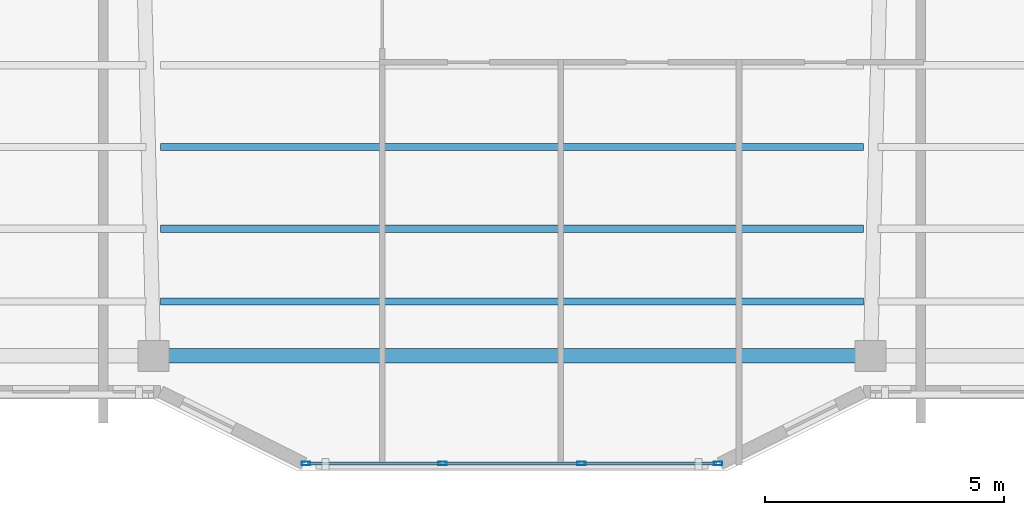
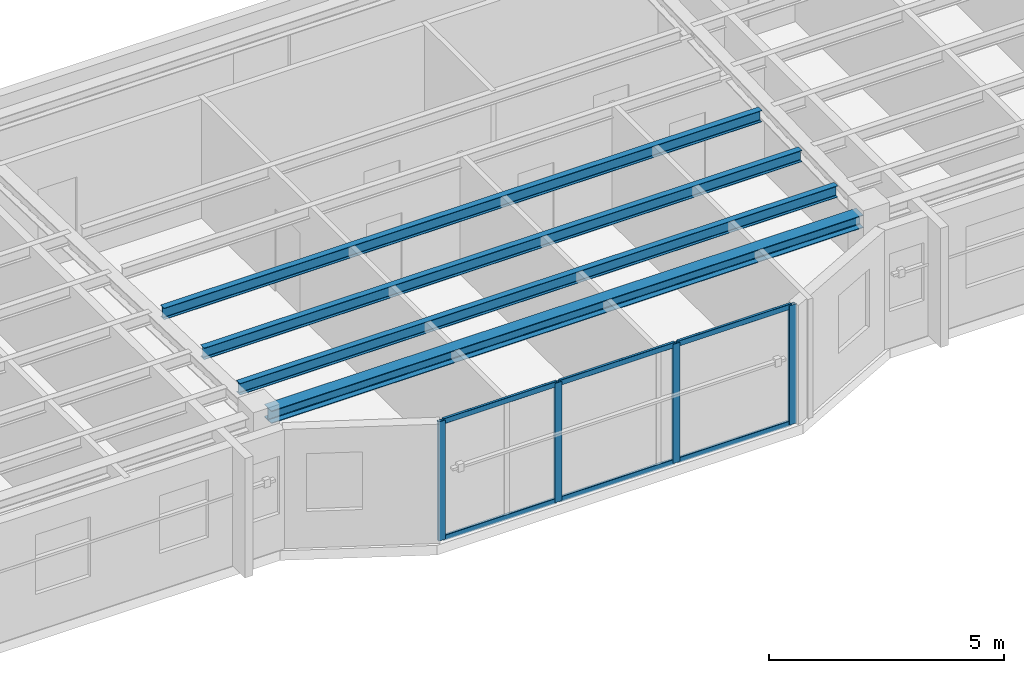
# One storey, part 2 of 13: 10 members, 4 beams, 1 element without a shape of its own.
"""IFC4 building model written with IfcOpenShell, lengths in metres."""

from ifc_helpers import new_model, si_unit, direction, frame, origin, origin_2d, place, context, subcontext, project, spatial, hollow_rectangle, i_section, extrude, material, layer, layer_set, material_profile, profile_set, type_object, element, aggregate, save


model = new_model("IFC4")

# Units and contexts
model_context = context("Model", 3, precision=1e-05, world=origin(), true_north=direction((0.0, 1.0)))
body_context = subcontext(model_context, "Body", "Model", "MODEL_VIEW")
ifc_project = project(units=[si_unit("LENGTHUNIT", "METRE"), si_unit("AREAUNIT", "SQUARE_METRE"), si_unit("VOLUMEUNIT", "CUBIC_METRE"), si_unit("PLANEANGLEUNIT", "RADIAN"), si_unit("MASSUNIT", "GRAM", prefix="KILO")], contexts=[model_context])

# Site, building, storey
site_placement = place(None, origin())
site = spatial("IfcSite", under=ifc_project, at=site_placement, CompositionType="ELEMENT")
building_placement = place(site_placement, origin())
building = spatial("IfcBuilding", under=site, at=building_placement, Name="Tarnavaz Court Tower", CompositionType="ELEMENT")
storey_placement = place(building_placement, frame((0.0, 0.0, 251.550048828125)))
storey = spatial("IfcBuildingStorey", under=building, at=storey_placement, Name="L68", CompositionType="ELEMENT", Elevation=251.550048828125)

# Beams
ifc_material_1 = material(Name="Steel S355", Category="steel")
ifc_material_profile_1 = material_profile(ifc_material_1, i_section(OverallWidth=0.14990234375, OverallDepth=0.300048828125, WebThickness=0.007080078125, FlangeThickness=0.0107421875, FilletRadius=0.014892578125, at=origin_2d()), Name="IPE 300")
ifc_profile_set_1 = profile_set([ifc_material_profile_1], Name="Steel S355")
beam_type_1 = type_object("IfcBeamType", Name="BM-J-IPE300", PredefinedType="JOIST", material=ifc_profile_set_1)
for number, where, z_axis, x_axis, name in (
    (1, (-7.35009765625, -15.72998046875, 2.949951171875), (1.0, 0.0, 0.0), (0.0, 1.0, 0.0), "L68 Beam JS3-2"),
    (2, (-7.35009765625, -17.43994140625, 2.949951171875), (1.0, 0.0, 0.0), (0.0, 1.0, 0.0), "L68 Beam JS4-2"),
    (3, (-7.35009765625, -18.9599609375, 2.949951171875), (1.0, 0.0, 0.0), (0.0, 1.0, 0.0), "L68 Beam JS5-2"),
):
    element("IfcBeam", number, at=place(storey_placement, frame(where, z_axis=z_axis, x_axis=x_axis)), inside=storey, type_object=beam_type_1, Name=name, PredefinedType="JOIST", context=body_context, shape_type="SweptSolid", body=[
        extrude(i_section(OverallWidth=0.14990234375, OverallDepth=0.300048828125, WebThickness=0.007080078125, FlangeThickness=0.0107421875, FilletRadius=0.014892578125, at=origin_2d()), origin(), (0.0, 0.0, 1.0), 14.7001953125),
    ])
ifc_material_profile_2 = material_profile(ifc_material_1, i_section(OverallWidth=0.300048828125, OverallDepth=0.330078125, WebThickness=0.009521484375, FlangeThickness=0.0166015625, FilletRadius=0.027099609375, at=origin_2d()), Name="HEA 340")
ifc_profile_set_2 = profile_set([ifc_material_profile_2], Name="Steel S355")
beam_type_2 = type_object("IfcBeamType", Name="BM-SP-HEA340", PredefinedType="BEAM", material=ifc_profile_set_2)
beam_placement = place(storey_placement, frame((-7.280029296875, -20.10009765625, 2.93505859375), z_axis=(1.0, 0.0, 0.0), x_axis=(0.0, 1.0, 0.0)))
element("IfcBeam", 4, at=beam_placement, inside=storey, type_object=beam_type_2, Name="L68 Beam PR-PS-2-PS-3", PredefinedType="BEAM", context=body_context, shape_type="SweptSolid", body=[
    extrude(i_section(OverallWidth=0.300048828125, OverallDepth=0.330078125, WebThickness=0.009521484375, FlangeThickness=0.0166015625, FilletRadius=0.027099609375, at=origin_2d()), origin(), (0.0, 0.0, 1.0), 14.56005859375),
])

# Curtain wall, members
ifc_material_2 = material(Name="Anodised Aluminium 6063-T6 and Solar Low-E Glazing", Category="aluminium")
ifc_layer = layer(ifc_material_2, 0.159912109375)
ifc_layer_set = layer_set([ifc_layer], Name="Anodised Aluminium 6063-T6 and Solar Low-E Glazing")
curtain_wall_type = type_object("IfcCurtainWallType", Name="CW-SYS-03", PredefinedType="NOTDEFINED", material=ifc_layer_set)
curtain_wall_placement = place(storey_placement, origin())
curtain_wall = element("IfcCurtainWall", 5, at=curtain_wall_placement, inside=storey, type_object=curtain_wall_type, Name="L68 Iwan Prow Curtain Wall 17", PredefinedType="NOTDEFINED")
ifc_material_3 = material(Name="Anodised Aluminium 6063-T6", Category="aluminium")
ifc_material_profile_3 = material_profile(ifc_material_3, hollow_rectangle(XDim=0.074951171875, YDim=0.179931640625, WallThickness=0.0048828125, InnerFilletRadius=0.0048828125, OuterFilletRadius=0.010009765625, at=origin_2d()), Name="ALU RHS 180X75X5")
ifc_profile_set_3 = profile_set([ifc_material_profile_3], Name="Anodised Aluminium 6063-T6")
member_type_1 = type_object("IfcMemberType", Name="CW-MUL-180", PredefinedType="MULLION", material=ifc_profile_set_3)
member_1_placement = place(storey_placement, frame((4.3125, -22.35009765625, 0.0), z_axis=(0.0, 0.0, 1.0), x_axis=(0.0, -1.0, 0.0)))
member_1 = element("IfcMember", 6, at=member_1_placement, type_object=member_type_1, Name="CW mullion 1", PredefinedType="MULLION", context=body_context, shape_type="SweptSolid", body=[
    extrude(hollow_rectangle(XDim=0.074951171875, YDim=0.179931640625, WallThickness=0.0048828125, InnerFilletRadius=0.0048828125, OuterFilletRadius=0.010009765625, at=origin_2d()), origin(), (0.0, 0.0, 1.0), 3.099853515625),
])
member_2_placement = place(storey_placement, frame((1.449951171875, -22.35009765625, 0.0), z_axis=(0.0, 0.0, 1.0), x_axis=(0.0, -1.0, 0.0)))
member_2 = element("IfcMember", 7, at=member_2_placement, type_object=member_type_1, Name="CW mullion 2", PredefinedType="MULLION", context=body_context, shape_type="SweptSolid", body=[
    extrude(hollow_rectangle(XDim=0.074951171875, YDim=0.179931640625, WallThickness=0.0048828125, InnerFilletRadius=0.0048828125, OuterFilletRadius=0.010009765625, at=origin_2d()), origin(), (0.0, 0.0, 1.0), 3.099853515625),
])
member_3_placement = place(storey_placement, frame((-1.449951171875, -22.35009765625, 0.0), z_axis=(0.0, 0.0, 1.0), x_axis=(0.0, -1.0, 0.0)))
member_3 = element("IfcMember", 8, at=member_3_placement, type_object=member_type_1, Name="CW mullion 3", PredefinedType="MULLION", context=body_context, shape_type="SweptSolid", body=[
    extrude(hollow_rectangle(XDim=0.074951171875, YDim=0.179931640625, WallThickness=0.0048828125, InnerFilletRadius=0.0048828125, OuterFilletRadius=0.010009765625, at=origin_2d()), origin(), (0.0, 0.0, 1.0), 3.099853515625),
])
member_4_placement = place(storey_placement, frame((-4.3125, -22.35009765625, 0.0), z_axis=(0.0, 0.0, 1.0), x_axis=(0.0, -1.0, 0.0)))
member_4 = element("IfcMember", 9, at=member_4_placement, type_object=member_type_1, Name="CW mullion 4", PredefinedType="MULLION", context=body_context, shape_type="SweptSolid", body=[
    extrude(hollow_rectangle(XDim=0.074951171875, YDim=0.179931640625, WallThickness=0.0048828125, InnerFilletRadius=0.0048828125, OuterFilletRadius=0.010009765625, at=origin_2d()), origin(), (0.0, 0.0, 1.0), 3.099853515625),
])
ifc_material_profile_4 = material_profile(ifc_material_3, hollow_rectangle(XDim=0.06494140625, YDim=0.139892578125, WallThickness=0.00390625, InnerFilletRadius=0.00390625, OuterFilletRadius=0.008056640625, at=origin_2d()), Name="ALU RHS 140X65X4")
ifc_profile_set_4 = profile_set([ifc_material_profile_4], Name="Anodised Aluminium 6063-T6")
member_type_2 = type_object("IfcMemberType", Name="CW-TRN-140", PredefinedType="USERDEFINED", material=ifc_profile_set_4)
member_5_placement = place(storey_placement, frame((4.27490234375, -22.35009765625, 0.032470703125), z_axis=(-1.0, 0.0, 0.0), x_axis=(0.0, -1.0, 0.0)))
member_5 = element("IfcMember", 10, at=member_5_placement, type_object=member_type_2, Name="CW transom 1.1", ObjectType="TRANSOM", PredefinedType="USERDEFINED", context=body_context, shape_type="SweptSolid", body=[
    extrude(hollow_rectangle(XDim=0.06494140625, YDim=0.139892578125, WallThickness=0.00390625, InnerFilletRadius=0.00390625, OuterFilletRadius=0.008056640625, at=origin_2d()), origin(), (0.0, 0.0, 1.0), 2.787353515625),
])
member_6_placement = place(storey_placement, frame((4.27490234375, -22.35009765625, 3.0673828125), z_axis=(-1.0, 0.0, 0.0), x_axis=(0.0, -1.0, 0.0)))
member_6 = element("IfcMember", 11, at=member_6_placement, type_object=member_type_2, Name="CW transom 1.2", ObjectType="TRANSOM", PredefinedType="USERDEFINED", context=body_context, shape_type="SweptSolid", body=[
    extrude(hollow_rectangle(XDim=0.06494140625, YDim=0.139892578125, WallThickness=0.00390625, InnerFilletRadius=0.00390625, OuterFilletRadius=0.008056640625, at=origin_2d()), origin(), (0.0, 0.0, 1.0), 2.787353515625),
])
member_7_placement = place(storey_placement, frame((1.41259765625, -22.35009765625, 0.032470703125), z_axis=(-1.0, 0.0, 0.0), x_axis=(0.0, -1.0, 0.0)))
member_7 = element("IfcMember", 12, at=member_7_placement, type_object=member_type_2, Name="CW transom 2.1", ObjectType="TRANSOM", PredefinedType="USERDEFINED", context=body_context, shape_type="SweptSolid", body=[
    extrude(hollow_rectangle(XDim=0.06494140625, YDim=0.139892578125, WallThickness=0.00390625, InnerFilletRadius=0.00390625, OuterFilletRadius=0.008056640625, at=origin_2d()), origin(), (0.0, 0.0, 1.0), 2.8251953125),
])
member_8_placement = place(storey_placement, frame((1.41259765625, -22.35009765625, 3.0673828125), z_axis=(-1.0, 0.0, 0.0), x_axis=(0.0, -1.0, 0.0)))
member_8 = element("IfcMember", 13, at=member_8_placement, type_object=member_type_2, Name="CW transom 2.2", ObjectType="TRANSOM", PredefinedType="USERDEFINED", context=body_context, shape_type="SweptSolid", body=[
    extrude(hollow_rectangle(XDim=0.06494140625, YDim=0.139892578125, WallThickness=0.00390625, InnerFilletRadius=0.00390625, OuterFilletRadius=0.008056640625, at=origin_2d()), origin(), (0.0, 0.0, 1.0), 2.8251953125),
])
member_9_placement = place(storey_placement, frame((-1.487548828125, -22.35009765625, 0.032470703125), z_axis=(-1.0, 0.0, 0.0), x_axis=(0.0, -1.0, 0.0)))
member_9 = element("IfcMember", 14, at=member_9_placement, type_object=member_type_2, Name="CW transom 3.1", ObjectType="TRANSOM", PredefinedType="USERDEFINED", context=body_context, shape_type="SweptSolid", body=[
    extrude(hollow_rectangle(XDim=0.06494140625, YDim=0.139892578125, WallThickness=0.00390625, InnerFilletRadius=0.00390625, OuterFilletRadius=0.008056640625, at=origin_2d()), origin(), (0.0, 0.0, 1.0), 2.787353515625),
])
member_10_placement = place(storey_placement, frame((-1.487548828125, -22.35009765625, 3.0673828125), z_axis=(-1.0, 0.0, 0.0), x_axis=(0.0, -1.0, 0.0)))
member_10 = element("IfcMember", 15, at=member_10_placement, type_object=member_type_2, Name="CW transom 3.2", ObjectType="TRANSOM", PredefinedType="USERDEFINED", context=body_context, shape_type="SweptSolid", body=[
    extrude(hollow_rectangle(XDim=0.06494140625, YDim=0.139892578125, WallThickness=0.00390625, InnerFilletRadius=0.00390625, OuterFilletRadius=0.008056640625, at=origin_2d()), origin(), (0.0, 0.0, 1.0), 2.787353515625),
])
aggregate(curtain_wall, [member_1, member_2, member_3, member_4, member_5, member_6, member_7, member_8, member_9, member_10])

save(model, "model.ifc")
